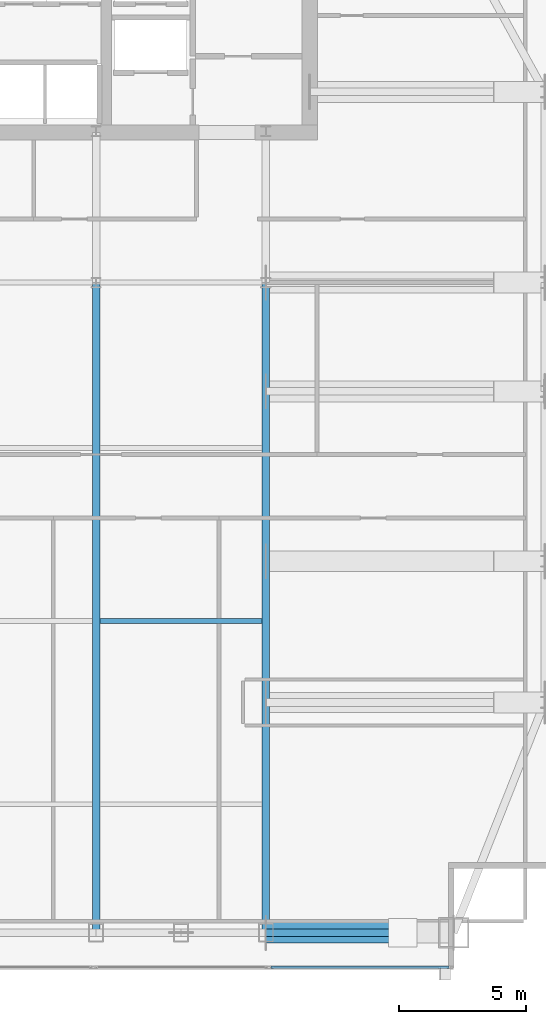
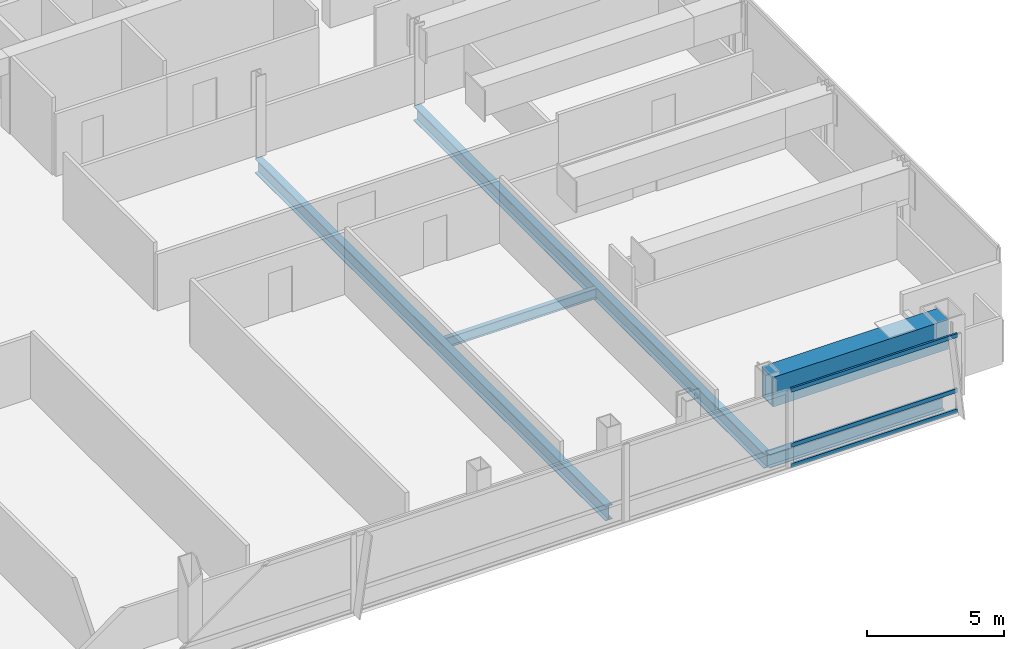
# One storey, part 12 of 26: 5 beams, 3 members, 1 element without a shape of its own.
"""IFC4 building model written with IfcOpenShell, lengths in metres."""

from ifc_helpers import new_model, si_unit, direction, frame, origin, origin_2d, place, context, subcontext, project, spatial, hollow_rectangle, i_section, extrude, material, material_profile, profile_set, type_object, element, aggregate, save


model = new_model("IFC4")

# Units and contexts
model_context = context("Model", 3, precision=1e-05, world=origin(), true_north=direction((0.0, 1.0)))
body_context = subcontext(model_context, "Body", "Model", "MODEL_VIEW")
ifc_project = project(units=[si_unit("LENGTHUNIT", "METRE"), si_unit("AREAUNIT", "SQUARE_METRE"), si_unit("VOLUMEUNIT", "CUBIC_METRE"), si_unit("PLANEANGLEUNIT", "RADIAN"), si_unit("MASSUNIT", "GRAM", prefix="KILO")], contexts=[model_context])

# Site, building, storey
site_placement = place(None, origin())
site = spatial("IfcSite", under=ifc_project, at=site_placement, CompositionType="ELEMENT")
building_placement = place(site_placement, origin())
building = spatial("IfcBuilding", under=site, at=building_placement, Name="Khoronbel Lancet Exchange", CompositionType="ELEMENT")
storey_placement = place(building_placement, frame((0.0, 0.0, 235.39990234375)))
storey = spatial("IfcBuildingStorey", under=building, at=storey_placement, Name="L60", CompositionType="ELEMENT", Elevation=235.39990234375)

# Beams
ifc_material_1 = material(Name="Steel S355", Category="steel")
ifc_material_profile_1 = material_profile(ifc_material_1, i_section(OverallWidth=0.300048828125, OverallDepth=0.64990234375, WebThickness=0.01611328125, FlangeThickness=0.031005859375, at=origin_2d()), Name="HEB 650")
ifc_profile_set_1 = profile_set([ifc_material_profile_1], Name="Steel S355")
beam_type_1 = type_object("IfcBeamType", Name="BM-BG4", PredefinedType="BEAM", material=ifc_profile_set_1)
for number, where, z_axis, x_axis, name in (
    (1, (48.0, 10.14990234375, -0.48486328125), (0.0, 1.0, 0.0), (-1.0, 0.0, 0.0), "Level L60 south primary girder GS5"),
    (2, (54.675048828125, 10.14990234375, -0.48486328125), (0.0, 1.0, 0.0), (-1.0, 0.0, 0.0), "Level L60 south primary girder GS6"),
):
    element("IfcBeam", number, at=place(storey_placement, frame(where, z_axis=z_axis, x_axis=x_axis)), inside=storey, type_object=beam_type_1, Name=name, PredefinedType="BEAM", context=body_context, shape_type="SweptSolid", body=[
        extrude(i_section(OverallWidth=0.300048828125, OverallDepth=0.64990234375, WebThickness=0.01611328125, FlangeThickness=0.031005859375, at=origin_2d()), origin(), (0.0, 0.0, 1.0), 25.550048828125),
    ])
ifc_material_profile_2 = material_profile(ifc_material_1, i_section(OverallWidth=0.18994140625, OverallDepth=0.449951171875, WebThickness=0.009521484375, FlangeThickness=0.0146484375, at=origin_2d()), Name="IPE 450")
ifc_profile_set_2 = profile_set([ifc_material_profile_2], Name="Steel S355")
beam_type_2 = type_object("IfcBeamType", Name="BM-BJ4", PredefinedType="JOIST", material=ifc_profile_set_2)
beam_1_placement = place(storey_placement, frame((48.14990234375, 22.39990234375, -0.385009765625), z_axis=(1.0, 0.0, 0.0), x_axis=(0.0, 1.0, 0.0)))
element("IfcBeam", 3, at=beam_1_placement, inside=storey, type_object=beam_type_2, Name="Level L60 secondary composite joist J10", PredefinedType="JOIST", context=body_context, shape_type="SweptSolid", body=[
    extrude(i_section(OverallWidth=0.18994140625, OverallDepth=0.449951171875, WebThickness=0.009521484375, FlangeThickness=0.0146484375, at=origin_2d()), origin(), (0.0, 0.0, 1.0), 6.375),
])
ifc_material_profile_3 = material_profile(ifc_material_1, i_section(OverallWidth=0.300048828125, OverallDepth=0.60009765625, WebThickness=0.015380859375, FlangeThickness=0.030029296875, at=origin_2d()), Name="HEB 600")
ifc_profile_set_3 = profile_set([ifc_material_profile_3], Name="Steel S355")
beam_type_3 = type_object("IfcBeamType", Name="BM-BSP2", PredefinedType="SPANDREL", material=ifc_profile_set_3)
beam_2_placement = place(storey_placement, frame((54.675048828125, 10.14990234375, -0.4599609375), z_axis=(1.0, 0.0, 0.0), x_axis=(0.0, 1.0, 0.0)))
element("IfcBeam", 4, at=beam_2_placement, inside=storey, type_object=beam_type_3, Name="Level L60 perimeter spandrel beam SP09", PredefinedType="SPANDREL", context=body_context, shape_type="SweptSolid", body=[
    extrude(i_section(OverallWidth=0.300048828125, OverallDepth=0.60009765625, WebThickness=0.015380859375, FlangeThickness=0.030029296875, at=origin_2d()), origin(), (0.0, 0.0, 1.0), 7.375),
])
ifc_material_2 = material(Name="Steel S460", Category="steel")
ifc_material_profile_4 = material_profile(ifc_material_2, hollow_rectangle(XDim=0.820068359375, YDim=1.320068359375, WallThickness=0.070068359375, at=origin_2d()), Name="BOX 820x1320x70")
ifc_profile_set_4 = profile_set([ifc_material_profile_4], Name="Steel S460")
beam_type_4 = type_object("IfcBeamType", Name="BM-TG4", PredefinedType="USERDEFINED", material=ifc_profile_set_4)
beam_3_placement = place(storey_placement, frame((54.675048828125, 10.14990234375, 2.780029296875), z_axis=(1.0, 0.0, 0.0), x_axis=(0.0, 1.0, 0.0)))
element("IfcBeam", 5, at=beam_3_placement, inside=storey, type_object=beam_type_4, Name="Corner mega-column setback transfer girder L60-SE", ObjectType="TRANSFER GIRDER", PredefinedType="USERDEFINED", context=body_context, shape_type="SweptSolid", body=[
    extrude(hollow_rectangle(XDim=0.820068359375, YDim=1.320068359375, WallThickness=0.070068359375, at=origin_2d()), origin(), (0.0, 0.0, 1.0), 7.375),
])

# Curtain wall, members
ifc_material_3 = material(Name="Low-E Solar Control Insulating Glass", Category="glass")
curtain_wall_type = type_object("IfcCurtainWallType", Name="CW-3", PredefinedType="NOTDEFINED", material=ifc_material_3)
curtain_wall_placement = place(storey_placement, origin())
curtain_wall = element("IfcCurtainWall", 6, at=curtain_wall_placement, inside=storey, type_object=curtain_wall_type, Name="Unitised curtain wall CW-L60-SEV", PredefinedType="NOTDEFINED")
ifc_material_4 = material(Name="Bronze-Anodised Aluminium 6063-T6", Category="aluminium")
ifc_material_profile_5 = material_profile(ifc_material_4, hollow_rectangle(XDim=0.0849609375, YDim=0.179931640625, WallThickness=0.0048828125, at=origin_2d()), Name="ALU TRANSOM 85x180")
ifc_profile_set_5 = profile_set([ifc_material_profile_5], Name="Bronze-Anodised Aluminium 6063-T6")
member_type = type_object("IfcMemberType", Name="MEM-CWT1", PredefinedType="USERDEFINED", material=ifc_profile_set_5)
member_1_placement = place(storey_placement, frame((54.885009765625, 8.7900390625, 0.04248046875), z_axis=(1.0, 0.0, 0.0), x_axis=(0.0, 1.0, 0.0)))
member_1 = element("IfcMember", 7, at=member_1_placement, type_object=member_type, Name="CW3 transom 1.1", ObjectType="TRANSOM", PredefinedType="USERDEFINED", context=body_context, shape_type="SweptSolid", body=[
    extrude(hollow_rectangle(XDim=0.0849609375, YDim=0.179931640625, WallThickness=0.0048828125, at=origin_2d()), origin(), (0.0, 0.0, 1.0), 6.989990234375),
])
member_2_placement = place(storey_placement, frame((54.885009765625, 8.7900390625, 0.9501953125), z_axis=(1.0, 0.0, 0.0), x_axis=(0.0, 1.0, 0.0)))
member_2 = element("IfcMember", 8, at=member_2_placement, type_object=member_type, Name="CW3 transom 1.2", ObjectType="TRANSOM", PredefinedType="USERDEFINED", context=body_context, shape_type="SweptSolid", body=[
    extrude(hollow_rectangle(XDim=0.0849609375, YDim=0.179931640625, WallThickness=0.0048828125, at=origin_2d()), origin(), (0.0, 0.0, 1.0), 6.989990234375),
])
member_3_placement = place(storey_placement, frame((54.885009765625, 8.7900390625, 3.397705078125), z_axis=(1.0, 0.0, 0.0), x_axis=(0.0, 1.0, 0.0)))
member_3 = element("IfcMember", 9, at=member_3_placement, type_object=member_type, Name="CW3 transom 1.3", ObjectType="TRANSOM", PredefinedType="USERDEFINED", context=body_context, shape_type="SweptSolid", body=[
    extrude(hollow_rectangle(XDim=0.0849609375, YDim=0.179931640625, WallThickness=0.0048828125, at=origin_2d()), origin(), (0.0, 0.0, 1.0), 6.989990234375),
])
aggregate(curtain_wall, [member_1, member_2, member_3])

save(model, "model.ifc")
